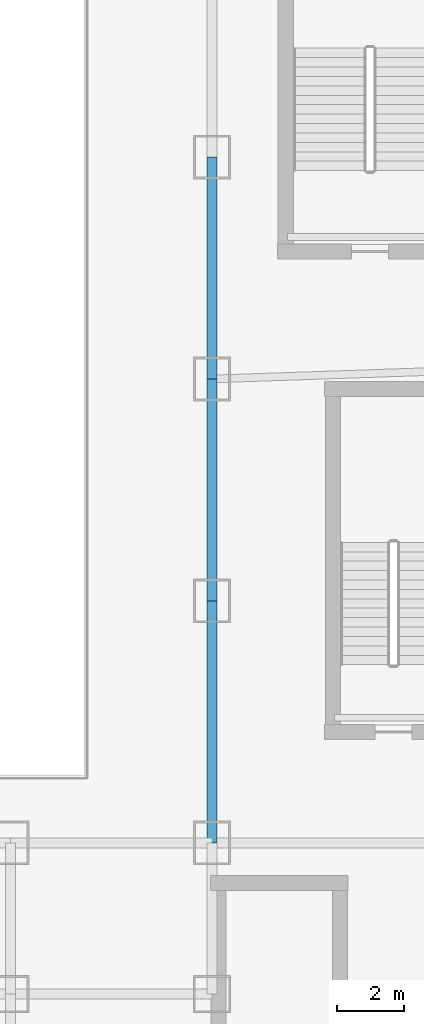
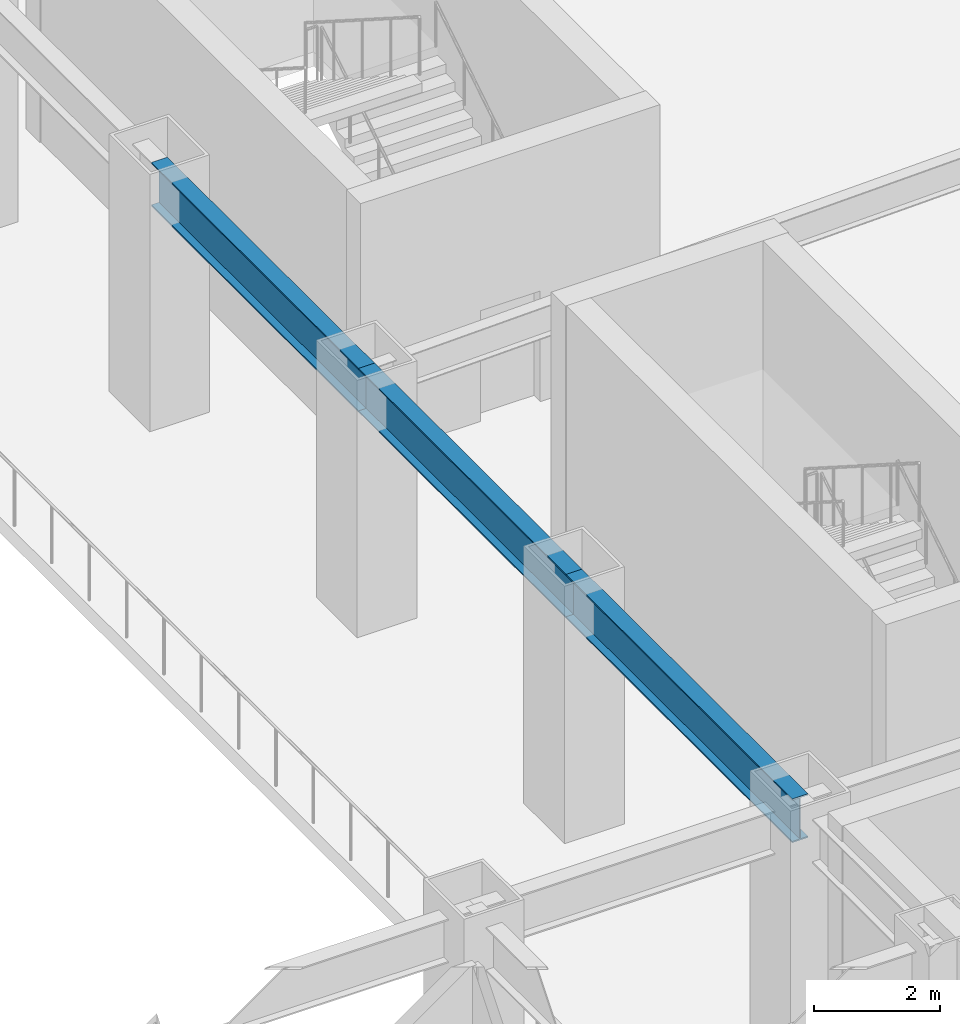
# One storey, part 11 of 39: 3 beams.
"""IFC4 building model written with IfcOpenShell, lengths in metres."""

from ifc_helpers import new_model, si_unit, derived_unit, direction, frame, origin, origin_2d, place, context, subcontext, project, spatial, i_section, extrude, source, transform, mapped, material, material_profile, profile_set, type_object, element, save


model = new_model("IFC4")

# Units and contexts
model_context = context("Model", 3, precision=1e-05, world=origin(), true_north=direction((0.0, 1.0)))
body_context = subcontext(model_context, "Body", "Model", "MODEL_VIEW")
ifc_project = project(units=[si_unit("LENGTHUNIT", "METRE"), si_unit("AREAUNIT", "SQUARE_METRE"), si_unit("VOLUMEUNIT", "CUBIC_METRE"), si_unit("PLANEANGLEUNIT", "RADIAN"), si_unit("MASSUNIT", "GRAM", prefix="KILO"), derived_unit("THERMALTRANSMITTANCEUNIT", [(si_unit("POWERUNIT", "WATT"), 1), (si_unit("LENGTHUNIT", "METRE"), -2), (si_unit("THERMODYNAMICTEMPERATUREUNIT", "KELVIN"), -1)])], contexts=[model_context])

# Site, building, storey
site_placement = place(None, origin())
site = spatial("IfcSite", under=ifc_project, at=site_placement, CompositionType="ELEMENT")
building_placement = place(site_placement, origin())
building = spatial("IfcBuilding", under=site, at=building_placement, Name="Skarnbrae Concourse Arena and Tower", CompositionType="ELEMENT")
storey_placement = place(building_placement, frame((0.0, 0.0, 16.0)))
storey = spatial("IfcBuildingStorey", under=building, at=storey_placement, Name="L03", CompositionType="ELEMENT", Elevation=16.0)

# Beams
ifc_material = material(Name="Steel CSA G40.21 350W", Category="steel")
ifc_material_profile = material_profile(ifc_material, i_section(OverallWidth=0.2939453125, OverallDepth=0.85107421875, WebThickness=0.01611328125, FlangeThickness=0.02685546875, at=origin_2d()), Name="W840X226")
ifc_profile_set = profile_set([ifc_material_profile], Name="Steel CSA G40.21 350W")
beam_type = type_object("IfcBeamType", Name="BM-GIRD-W840X226", PredefinedType="BEAM", material=ifc_profile_set)
shared_shape_1 = source(origin(), body_context, "Body", "SweptSolid", [
    extrude(i_section(OverallWidth=0.2939453125, OverallDepth=0.85107421875, WebThickness=0.01611328125, FlangeThickness=0.02685546875, at=origin_2d()), origin(), (0.0, 0.0, 1.0), 6.60009765625),
])
beam_1_placement = place(storey_placement, frame((61.0, 21.199951171875, 4.2744140625), z_axis=(0.0, 1.0, 0.0), x_axis=(-1.0, 0.0, 0.0)))
element("IfcBeam", 1, at=beam_1_placement, inside=storey, type_object=beam_type, Name="L03 Podium east girder 3", PredefinedType="BEAM", context=body_context, shape_type="MappedRepresentation", body=[
    mapped(shared_shape_1, transform((0.0, 0.0, 0.0))),
])
shared_shape_2 = source(origin(), body_context, "Body", "SweptSolid", [
    extrude(i_section(OverallWidth=0.2939453125, OverallDepth=0.85107421875, WebThickness=0.01611328125, FlangeThickness=0.02685546875, at=origin_2d()), origin(), (0.0, 0.0, 1.0), 7.199951171875),
])
beam_2_placement = place(storey_placement, frame((61.0, 14.0, 4.2744140625), z_axis=(0.0, 1.0, 0.0), x_axis=(-1.0, 0.0, 0.0)))
element("IfcBeam", 2, at=beam_2_placement, inside=storey, type_object=beam_type, Name="L03 Podium east girder 2", PredefinedType="BEAM", context=body_context, shape_type="MappedRepresentation", body=[
    mapped(shared_shape_2, transform((0.0, 0.0, 0.0))),
])
shared_shape_3 = source(origin(), body_context, "Body", "SweptSolid", [
    extrude(i_section(OverallWidth=0.2939453125, OverallDepth=0.85107421875, WebThickness=0.01611328125, FlangeThickness=0.02685546875, at=origin_2d()), origin(), (0.0, 0.0, 1.0), 6.599853515625),
])
beam_3_placement = place(storey_placement, frame((61.0, 27.800048828125, 4.2744140625), z_axis=(0.0, 1.0, 0.0), x_axis=(-1.0, 0.0, 0.0)))
element("IfcBeam", 3, at=beam_3_placement, inside=storey, type_object=beam_type, Name="L03 Podium east girder 4", PredefinedType="BEAM", context=body_context, shape_type="MappedRepresentation", body=[
    mapped(shared_shape_3, transform((0.0, 0.0, 0.0))),
])

save(model, "model.ifc")
